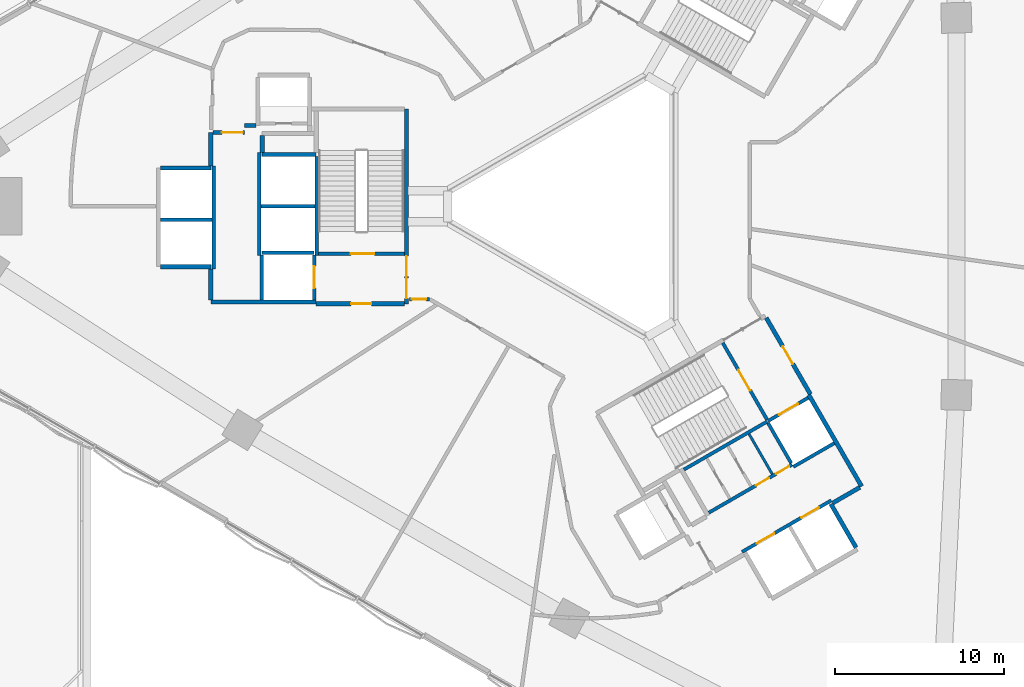
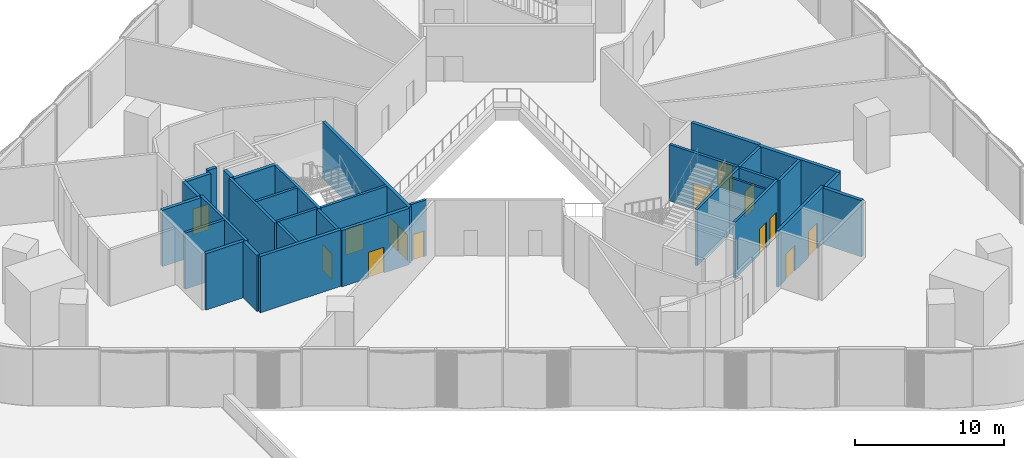
# One storey, part 8 of 14: 33 walls, 14 doors, 14 openings.
"""IFC4 building model written with IfcOpenShell, lengths in metres."""

import ifcopenshell
import ifcopenshell.guid

model = None  # the IFC model being written
_history = None  # IfcOwnerHistory: only IFC2X3 demands one
_inside = {}  # id of a spatial element -> (the spatial element, [elements in it])
_under = {}  # id of a project, library or spatial element -> (it, [spatial elements below it])
_declared = {}  # id of a project -> (the project, [libraries it declares])
_typed = {}  # id of a type object -> (the type object, [elements of that type])
_made_of = {}  # id of a material, layer set ... -> (it, [elements and type objects made of it])


def new_model(schema):
    """Start an empty IFC model of exactly this schema.

    Asked for "IFC4X3", IfcOpenShell would pick the latest addendum, in which some entities
    have other attributes; the version numbers below select the first issue.
    IFC2X3 requires an IfcOwnerHistory on every rooted entity: one is made here for all.
    """
    global model, _history
    if schema == "IFC4X3":
        model = ifcopenshell.file(schema_version=(4, 3, 0, 0))
    else:
        model = ifcopenshell.file(schema=schema)
    _inside.clear()
    _under.clear()
    _declared.clear()
    _typed.clear()
    _made_of.clear()
    _history = None
    if model.schema == "IFC2X3":
        org = make("IfcOrganization", Name="unknown")
        user = make(
            "IfcPersonAndOrganization",
            ThePerson=make("IfcPerson", FamilyName="unknown"),
            TheOrganization=org,
        )
        app = make(
            "IfcApplication",
            ApplicationDeveloper=org,
            Version="unknown",
            ApplicationFullName="unknown",
            ApplicationIdentifier="unknown",
        )
        _history = make(
            "IfcOwnerHistory",
            OwningUser=user,
            OwningApplication=app,
            ChangeAction="ADDED",
            CreationDate=0,
        )
    return model


def make(cls, **values):
    """One entity of the class cls with the attributes given. An attribute that is None is left unset."""
    return model.create_entity(
        cls, **{name: value for name, value in values.items() if value is not None}
    )


def rooted(cls, **values):
    """An entity with a GlobalId (a new one), such as an element, a storey or a relation."""
    return make(cls, GlobalId=ifcopenshell.guid.new(), OwnerHistory=_history, **values)


def si_unit(unit_type, name, prefix=None):
    """IfcSIUnit, for example si_unit("LENGTHUNIT", "METRE", prefix="MILLI")."""
    return make("IfcSIUnit", UnitType=unit_type, Prefix=prefix, Name=name)


def assignment(units):
    """IfcUnitAssignment: the units of a project."""
    return None if units is None else make("IfcUnitAssignment", Units=units)


def point(xyz):
    """IfcCartesianPoint."""
    return None if xyz is None else make("IfcCartesianPoint", Coordinates=xyz)


def direction(xyz):
    """IfcDirection."""
    return None if xyz is None else make("IfcDirection", DirectionRatios=xyz)


def frame(location, z_axis=None, x_axis=None):
    """IfcAxis2Placement3D, a coordinate frame: its origin and axes. An axis left out is left unset."""
    return make(
        "IfcAxis2Placement3D",
        Location=point(location),
        Axis=direction(z_axis),
        RefDirection=direction(x_axis),
    )


def frame_2d(location, x_axis=None):
    """IfcAxis2Placement2D, a coordinate frame in the plane: its origin and x axis."""
    return make(
        "IfcAxis2Placement2D", Location=point(location), RefDirection=direction(x_axis)
    )


def origin():
    """The frame at (0, 0, 0) with its axes left unset."""
    return frame((0.0, 0.0, 0.0))


def place(relative_to, where):
    """IfcLocalPlacement: puts the frame where relative to a parent placement (None: the world)."""
    return make(
        "IfcLocalPlacement", PlacementRelTo=relative_to, RelativePlacement=where
    )


def context(
    kind, dimensions, precision=None, world=None, true_north=None, identifier=None
):
    """IfcGeometricRepresentationContext, for example the 3D "Model" context."""
    return make(
        "IfcGeometricRepresentationContext",
        ContextIdentifier=identifier,
        ContextType=kind,
        CoordinateSpaceDimension=dimensions,
        Precision=precision,
        WorldCoordinateSystem=world,
        TrueNorth=true_north,
    )


def subcontext(parent, identifier, kind, view, scale=None):
    """IfcGeometricRepresentationSubContext, for example "Body" below "Model"."""
    return make(
        "IfcGeometricRepresentationSubContext",
        ContextIdentifier=identifier,
        ContextType=kind,
        ParentContext=parent,
        TargetScale=scale,
        TargetView=view,
    )


def project(units=None, contexts=None):
    """IfcProject with its units and contexts."""
    return rooted(
        "IfcProject",
        Name="project",
        RepresentationContexts=contexts,
        UnitsInContext=assignment(units),
    )


def spatial(cls, under=None, at=None, **own):
    """A site, building, storey or space (cls), placed at a placement, below another one or the project."""
    s = rooted(cls, ObjectPlacement=at, **own)
    if under is not None:
        _under.setdefault(under.id(), (under, []))[1].append(s)
    return s


def profile(cls, at=None, kind="AREA", **sizes):
    """A parametric profile (cls). Its sizes go by their IFC names, for example OverallWidth=200.0."""
    return make(cls, ProfileType=kind, Position=at, **sizes)


def rectangle(**sizes):
    """IfcRectangleProfileDef."""
    return profile("IfcRectangleProfileDef", **sizes)


def extrude(swept, where, along, depth):
    """IfcExtrudedAreaSolid: the profile swept, set in the frame where, extruded along a direction by depth."""
    return make(
        "IfcExtrudedAreaSolid",
        SweptArea=swept,
        Position=where,
        ExtrudedDirection=direction(along),
        Depth=depth,
    )


def shape(context_of_items, identifier, shape_type, items):
    """IfcShapeRepresentation: the items that make up one representation, for example the "Body"."""
    return make(
        "IfcShapeRepresentation",
        ContextOfItems=context_of_items,
        RepresentationIdentifier=identifier,
        RepresentationType=shape_type,
        Items=items,
    )


def material(Name=None, Category=None):
    """IfcMaterial."""
    return make("IfcMaterial", Name=Name, Category=Category)


def layer(
    of_material, thickness, ventilated=None, Name=None, Category=None, Priority=None
):
    """IfcMaterialLayer: one layer of a wall or slab, of a material (None: an air gap)."""
    return make(
        "IfcMaterialLayer",
        Material=of_material,
        LayerThickness=thickness,
        IsVentilated=ventilated,
        Name=Name,
        Category=Category,
        Priority=Priority,
    )


def layer_set(layers, Name=None):
    """IfcMaterialLayerSet."""
    return make("IfcMaterialLayerSet", MaterialLayers=layers, LayerSetName=Name)


def made_of(thing, what):
    """Note that an element or type object is made of a material, layer set ...; save() writes the relation."""
    if what is not None:
        _made_of.setdefault(what.id(), (what, []))[1].append(thing)
    return thing


def type_object(cls, material=None, **own):
    """A type object (cls), such as IfcWallType, which elements share."""
    return made_of(rooted(cls, **own), material)


def element(
    cls,
    number,
    at=None,
    inside=None,
    cuts=None,
    type_object=None,
    material=None,
    context=None,
    identifier="Body",
    shape_type=None,
    held_by="IfcProductDefinitionShape",
    body=None,
    shapes=None,
    **own,
):
    """One element of the class cls, such as IfcWall. Its Tag is "e" and its number.

    at: its placement. inside: the storey or other place that contains it. cuts: it is an
    opening in that element (IfcRelVoidsElement). A single representation is given by context,
    identifier, shape_type and body (its items); several are given by shapes. held_by: the class
    of the entity that holds the representations. save() writes the other relations.
    """
    e = rooted(cls, Tag="e%d" % number, ObjectPlacement=at, **own)
    if body is not None:
        shapes = [shape(context, identifier, shape_type, body)]
    if shapes is not None:
        e.Representation = make(held_by, Representations=shapes)
    if inside is not None:
        _inside.setdefault(inside.id(), (inside, []))[1].append(e)
    if cuts is not None:
        rooted(
            "IfcRelVoidsElement", RelatingBuildingElement=cuts, RelatedOpeningElement=e
        )
    if type_object is not None:
        _typed.setdefault(type_object.id(), (type_object, []))[1].append(e)
    return made_of(e, material)


def fill(opening, filler):
    """IfcRelFillsElement: the door or window that sits in an opening."""
    return rooted(
        "IfcRelFillsElement",
        RelatingOpeningElement=opening,
        RelatedBuildingElement=filler,
    )


def aggregate(whole, parts):
    """IfcRelAggregates: a whole, such as a stair, and the parts it consists of."""
    return rooted("IfcRelAggregates", RelatingObject=whole, RelatedObjects=parts)


def save(model, path):
    """Write the relations noted so far, then the file.

    IfcRelAggregates (storeys below a building ...), IfcRelContainedInSpatialStructure (elements
    in a storey), IfcRelDefinesByType, IfcRelAssociatesMaterial and IfcRelDeclares: one each for
    every whole, place, type object, material and project.
    """
    for whole, parts in _under.values():
        aggregate(whole, parts)
    for where, things in _inside.values():
        rooted(
            "IfcRelContainedInSpatialStructure",
            RelatedElements=things,
            RelatingStructure=where,
        )
    for kind, things in _typed.values():
        rooted("IfcRelDefinesByType", RelatedObjects=things, RelatingType=kind)
    for what, things in _made_of.values():
        rooted("IfcRelAssociatesMaterial", RelatedObjects=things, RelatingMaterial=what)
    for by, libraries in _declared.values():
        rooted("IfcRelDeclares", RelatingContext=by, RelatedDefinitions=libraries)
    model.write(path)


model = new_model("IFC4")

# Units and contexts
model_context = context("Model", 3, precision=1e-05, world=origin(), true_north=direction((0.0, 1.0)))
body_context = subcontext(model_context, "Body", "Model", "MODEL_VIEW")
ifc_project = project(units=[si_unit("LENGTHUNIT", "METRE"), si_unit("AREAUNIT", "SQUARE_METRE"), si_unit("VOLUMEUNIT", "CUBIC_METRE"), si_unit("PLANEANGLEUNIT", "RADIAN"), si_unit("MASSUNIT", "GRAM", prefix="KILO")], contexts=[model_context])

# Site, building, storey
site_placement = place(None, origin())
site = spatial("IfcSite", under=ifc_project, at=site_placement, CompositionType="ELEMENT")
building_placement = place(site_placement, origin())
building = spatial("IfcBuilding", under=site, at=building_placement, Name="Tamra Quay Hotel Tower", CompositionType="ELEMENT")
storey_placement = place(building_placement, frame((0.0, 0.0, 24.5)))
storey = spatial("IfcBuildingStorey", under=building, at=storey_placement, Name="L04", CompositionType="ELEMENT", Elevation=24.5)

# Walls
ifc_material_1 = material(Name="Concrete M70", Category="concrete")
ifc_layer_1 = layer(ifc_material_1, 0.199951171875)
ifc_layer_set_1 = layer_set([ifc_layer_1], Name="Concrete M70 core wall 200")
wall_type_1 = type_object("IfcWallType", Name="Concrete M70 core wall 200", PredefinedType="SHEAR", material=ifc_layer_set_1)
wall_1_placement = place(storey_placement, frame((-16.162109375, 2.95068359375, 0.0), z_axis=(0.0, 0.0, 1.0), x_axis=(0.0, -1.0, 0.0)))
element("IfcWall", 1, at=wall_1_placement, inside=storey, type_object=wall_type_1, Name="CW2", PredefinedType="SHEAR", context=body_context, shape_type="SweptSolid", body=[
    extrude(rectangle(XDim=5.850830078125, YDim=0.199951171875, at=frame_2d((2.92529296875, 0.0))), origin(), (0.0, 0.0, 1.0), 4.60009765625),
])
for number, where, z_axis, x_axis, name in (
    (2, (-19.5625, -2.900146484375, 0.0), (0.0, 0.0, 1.0), (0.0, 1.0, 0.0), "CW2"),
    (3, (-22.26220703125, 2.400146484375, 0.0), (0.0, 0.0, 1.0), (0.0, -1.0, 0.0), "CW2"),
):
    element("IfcWall", number, at=place(storey_placement, frame(where, z_axis=z_axis, x_axis=x_axis)), inside=storey, type_object=wall_type_1, Name=name, PredefinedType="SHEAR", context=body_context, shape_type="SweptSolid", body=[
        extrude(rectangle(XDim=6.100341796875, YDim=0.199951171875, at=frame_2d((3.05029296875, 0.0))), origin(), (0.0, 0.0, 1.0), 4.60009765625),
    ])

# Wall, opening, door
wall_2_placement = place(storey_placement, frame((-10.96337890625, -2.800048828125, 0.0), z_axis=(0.0, 0.0, 1.0), x_axis=(-1.0, 0.0, 0.0)))
wall_2 = element("IfcWall", 4, at=wall_2_placement, inside=storey, type_object=wall_type_1, Name="CW2", PredefinedType="SHEAR", context=body_context, shape_type="SweptSolid", body=[
    extrude(rectangle(XDim=5.097900390625, YDim=0.199951171875, at=frame_2d((2.548828125, 0.0))), origin(), (0.0, 0.0, 1.0), 4.60009765625),
])
opening_1_placement = place(wall_2_placement, frame((1.77392578125, 0.0, 0.0)))
opening_1 = element("IfcOpeningElement", 5, at=opening_1_placement, cuts=wall_2, Name="Opening FD2", PredefinedType="OPENING", context=body_context, shape_type="SweptSolid", body=[
    extrude(rectangle(XDim=1.39990234375, YDim=2.10009765625, at=frame_2d((0.699951171875, 1.050048828125))), frame((0.0, 0.10986328125, 0.0), z_axis=(0.0, -1.0, 0.0), x_axis=(1.0, 0.0, 0.0)), (0.0, 0.0, 1.0), 0.219970703125),
])
ifc_material_2 = material(Name="Core door FD2 1400x2100 LH")
door_type_1 = type_object("IfcDoorType", Name="Core door FD2 1400x2100 LH", OperationType="NOTDEFINED", PredefinedType="DOOR", material=ifc_material_2)
door_1_placement = place(opening_1_placement, origin())
door_1 = element("IfcDoor", 6, at=door_1_placement, inside=storey, type_object=door_type_1, Name="FD2", OperationType="SINGLE_SWING_LEFT", OverallHeight=2.10009765625, OverallWidth=1.39990234375, PredefinedType="DOOR", context=body_context, shape_type="SweptSolid", body=[
    extrude(rectangle(XDim=1.39990234375, YDim=2.10009765625, at=frame_2d((0.699951171875, 1.050048828125))), frame((0.0, 0.02490234375, 0.0), z_axis=(0.0, -1.0, 0.0), x_axis=(1.0, 0.0, 0.0)), (0.0, 0.0, 1.0), 0.050048828125),
])
fill(opening_1, door_1)

# Walls
wall_3_placement = place(storey_placement, frame((-16.26318359375, 0.0, 0.0), z_axis=(0.0, 0.0, 1.0), x_axis=(-1.0, 0.0, 0.0)))
element("IfcWall", 7, at=wall_3_placement, inside=storey, type_object=wall_type_1, Name="CW2", PredefinedType="SHEAR", context=body_context, shape_type="SweptSolid", body=[
    extrude(rectangle(XDim=3.1982421875, YDim=0.199951171875, at=frame_2d((1.59912109375, 0.0))), origin(), (0.0, 0.0, 1.0), 4.60009765625),
])
wall_4_placement = place(storey_placement, frame((-22.36328125, -0.800048828125, 0.0), z_axis=(0.0, 0.0, 1.0), x_axis=(-1.0, 0.0, 0.0)))
element("IfcWall", 8, at=wall_4_placement, inside=storey, type_object=wall_type_1, Name="CW2", PredefinedType="SHEAR", context=body_context, shape_type="SweptSolid", body=[
    extrude(rectangle(XDim=3.048095703125, YDim=0.199951171875, at=frame_2d((1.52392578125, 0.0))), origin(), (0.0, 0.0, 1.0), 4.60009765625),
])
wall_5_placement = place(storey_placement, frame((-19.412353515625, -2.75, 0.0), z_axis=(0.0, 0.0, 1.0), x_axis=(1.0, 0.0, 0.0)))
element("IfcWall", 9, at=wall_5_placement, inside=storey, type_object=wall_type_1, Name="CW2", PredefinedType="SHEAR", context=body_context, shape_type="SweptSolid", body=[
    extrude(rectangle(XDim=3.10009765625, YDim=0.199951171875, at=frame_2d((1.550048828125, 0.0))), origin(), (0.0, 0.0, 1.0), 4.60009765625),
])

# Wall, opening, door
wall_6_placement = place(storey_placement, frame((-16.312255859375, -2.898193359375, 0.0), z_axis=(0.0, 0.0, 1.0), x_axis=(0.0, -1.0, 0.0)))
wall_6 = element("IfcWall", 10, at=wall_6_placement, inside=storey, type_object=wall_type_1, Name="CW2", PredefinedType="SHEAR", context=body_context, shape_type="SweptSolid", body=[
    extrude(rectangle(XDim=2.65087890625, YDim=0.199951171875, at=frame_2d((1.325439453125, 0.0))), origin(), (0.0, 0.0, 1.0), 4.60009765625),
])
opening_2_placement = place(wall_6_placement, frame((0.65185546875, 0.0, 0.0)))
opening_2 = element("IfcOpeningElement", 11, at=opening_2_placement, cuts=wall_6, Name="Opening LD", PredefinedType="OPENING", context=body_context, shape_type="SweptSolid", body=[
    extrude(rectangle(XDim=1.300048828125, YDim=2.10009765625, at=frame_2d((0.64990234375, 1.050048828125))), frame((0.0, 0.10986328125, 0.0), z_axis=(0.0, -1.0, 0.0), x_axis=(1.0, 0.0, 0.0)), (0.0, 0.0, 1.0), 0.219970703125),
])
ifc_material_3 = material(Name="Landing door LD 1300 sliding to left")
door_type_2 = type_object("IfcDoorType", Name="Landing door LD 1300 sliding to left", OperationType="NOTDEFINED", PredefinedType="DOOR", material=ifc_material_3)
door_2_placement = place(opening_2_placement, origin())
door_2 = element("IfcDoor", 12, at=door_2_placement, inside=storey, type_object=door_type_2, Name="LD", OperationType="SLIDING_TO_LEFT", OverallHeight=2.10009765625, OverallWidth=1.300048828125, PredefinedType="DOOR", context=body_context, shape_type="SweptSolid", body=[
    extrude(rectangle(XDim=1.300048828125, YDim=2.10009765625, at=frame_2d((0.64990234375, 1.050048828125))), frame((0.0, 0.02490234375, 0.0), z_axis=(0.0, -1.0, 0.0), x_axis=(1.0, 0.0, 0.0)), (0.0, 0.0, 1.0), 0.050048828125),
])
fill(opening_2, door_2)

# Wall
wall_7_placement = place(storey_placement, frame((-19.412353515625, -5.549072265625, 0.0), z_axis=(0.0, 0.0, 1.0), x_axis=(0.0, 1.0, 0.0)))
element("IfcWall", 13, at=wall_7_placement, inside=storey, type_object=wall_type_1, Name="CW2", PredefinedType="SHEAR", context=body_context, shape_type="SweptSolid", body=[
    extrude(rectangle(XDim=2.65087890625, YDim=0.199951171875, at=frame_2d((1.325439453125, 0.0))), origin(), (0.0, 0.0, 1.0), 4.60009765625),
])

# Wall, openings, doors
wall_8_placement = place(storey_placement, frame((9.052490234375, -20.479736328125, 0.0), z_axis=(0.0, 0.0, 1.0), x_axis=(0.866030299012, 0.499991521122, 0.0)))
wall_8 = element("IfcWall", 14, at=wall_8_placement, inside=storey, type_object=wall_type_1, Name="CW2", PredefinedType="SHEAR", context=body_context, shape_type="SweptSolid", body=[
    extrude(rectangle(XDim=6.10009765625, YDim=0.199951171875, at=frame_2d((3.050048828125, 0.0))), origin(), (0.0, 0.0, 1.0), 4.60009765625),
])
opening_3_placement = place(wall_8_placement, frame((1.0, 0.0, 0.0)))
opening_3 = element("IfcOpeningElement", 15, at=opening_3_placement, cuts=wall_8, Name="Opening LD", PredefinedType="OPENING", context=body_context, shape_type="SweptSolid", body=[
    extrude(rectangle(XDim=1.199951171875, YDim=2.10009765625, at=frame_2d((0.60009765625, 1.050048828125))), frame((0.0, 0.10986328125, 0.0), z_axis=(0.0, -1.0, 0.0), x_axis=(1.0, 0.0, 0.0)), (0.0, 0.0, 1.0), 0.219970703125),
])
opening_4_placement = place(wall_8_placement, frame((4.05029296875, 0.0, 0.0)))
opening_4 = element("IfcOpeningElement", 16, at=opening_4_placement, cuts=wall_8, Name="Opening LD", PredefinedType="OPENING", context=body_context, shape_type="SweptSolid", body=[
    extrude(rectangle(XDim=1.199951171875, YDim=2.10009765625, at=frame_2d((0.60009765625, 1.050048828125))), frame((0.0, 0.10986328125, 0.0), z_axis=(0.0, -1.0, 0.0), x_axis=(1.0, 0.0, 0.0)), (0.0, 0.0, 1.0), 0.219970703125),
])
ifc_material_4 = material(Name="Landing door LD 1200 double door sliding")
door_type_3 = type_object("IfcDoorType", Name="Landing door LD 1200 double door sliding", OperationType="DOUBLE_DOOR_SLIDING", PredefinedType="DOOR", material=ifc_material_4)
door_3_placement = place(opening_3_placement, origin())
door_3 = element("IfcDoor", 17, at=door_3_placement, inside=storey, type_object=door_type_3, Name="LD", OperationType="DOUBLE_DOOR_SLIDING", OverallHeight=2.10009765625, OverallWidth=1.199951171875, PredefinedType="DOOR", context=body_context, shape_type="SweptSolid", body=[
    extrude(rectangle(XDim=1.199951171875, YDim=2.10009765625, at=frame_2d((0.60009765625, 1.050048828125))), frame((0.0, 0.02490234375, 0.0), z_axis=(0.0, -1.0, 0.0), x_axis=(1.0, 0.0, 0.0)), (0.0, 0.0, 1.0), 0.050048828125),
])
fill(opening_3, door_3)
door_4_placement = place(opening_4_placement, origin())
door_4 = element("IfcDoor", 18, at=door_4_placement, inside=storey, type_object=door_type_3, Name="LD", OperationType="DOUBLE_DOOR_SLIDING", OverallHeight=2.10009765625, OverallWidth=1.199951171875, PredefinedType="DOOR", context=body_context, shape_type="SweptSolid", body=[
    extrude(rectangle(XDim=1.199951171875, YDim=2.10009765625, at=frame_2d((0.60009765625, 1.050048828125))), frame((0.0, 0.02490234375, 0.0), z_axis=(0.0, -1.0, 0.0), x_axis=(1.0, 0.0, 0.0)), (0.0, 0.0, 1.0), 0.050048828125),
])
fill(opening_4, door_4)

# Wall
wall_9_placement = place(storey_placement, frame((10.537841796875, -12.751953125, 0.0), z_axis=(0.0, 0.0, 1.0), x_axis=(-0.866038630372, -0.499977090179, 0.0)))
element("IfcWall", 19, at=wall_9_placement, inside=storey, type_object=wall_type_1, Name="CW2", PredefinedType="SHEAR", context=body_context, shape_type="SweptSolid", body=[
    extrude(rectangle(XDim=5.698974609375, YDim=0.199951171875, at=frame_2d((2.849609375, 0.0))), origin(), (0.0, 0.0, 1.0), 4.60009765625),
])

# Wall, openings, doors
wall_10_placement = place(storey_placement, frame((7.0771484375, -18.156005859375, 0.0), z_axis=(0.0, 0.0, 1.0), x_axis=(0.866038630372, 0.499977090179, 0.0)))
wall_10 = element("IfcWall", 20, at=wall_10_placement, inside=storey, type_object=wall_type_1, Name="CW2", PredefinedType="SHEAR", context=body_context, shape_type="SweptSolid", body=[
    extrude(rectangle(XDim=5.698974609375, YDim=0.199951171875, at=frame_2d((2.849609375, 0.0))), origin(), (0.0, 0.0, 1.0), 4.60009765625),
])
opening_5_placement = place(wall_10_placement, frame((3.22412109375, 0.0, 0.0)))
opening_5 = element("IfcOpeningElement", 21, at=opening_5_placement, cuts=wall_10, Name="Opening D2", PredefinedType="OPENING", context=body_context, shape_type="SweptSolid", body=[
    extrude(rectangle(XDim=0.89990234375, YDim=2.10009765625, at=frame_2d((0.449951171875, 1.050048828125))), frame((0.0, 0.10986328125, 0.0), z_axis=(0.0, -1.0, 0.0), x_axis=(1.0, 0.0, 0.0)), (0.0, 0.0, 1.0), 0.219970703125),
])
opening_6_placement = place(wall_10_placement, frame((4.59912109375, 0.0, 0.0)))
opening_6 = element("IfcOpeningElement", 22, at=opening_6_placement, cuts=wall_10, Name="Opening D2", PredefinedType="OPENING", context=body_context, shape_type="SweptSolid", body=[
    extrude(rectangle(XDim=0.89990234375, YDim=2.10009765625, at=frame_2d((0.449951171875, 1.050048828125))), frame((0.0, 0.10986328125, 0.0), z_axis=(0.0, -1.0, 0.0), x_axis=(1.0, 0.0, 0.0)), (0.0, 0.0, 1.0), 0.219970703125),
])
ifc_material_5 = material(Name="Core door D2 900x2100 LH")
door_type_4 = type_object("IfcDoorType", Name="Core door D2 900x2100 LH", OperationType="NOTDEFINED", PredefinedType="DOOR", material=ifc_material_5)
door_5_placement = place(opening_5_placement, origin())
door_5 = element("IfcDoor", 23, at=door_5_placement, inside=storey, type_object=door_type_4, Name="D2", OperationType="SINGLE_SWING_LEFT", OverallHeight=2.10009765625, OverallWidth=0.89990234375, PredefinedType="DOOR", context=body_context, shape_type="SweptSolid", body=[
    extrude(rectangle(XDim=0.89990234375, YDim=2.10009765625, at=frame_2d((0.449951171875, 1.050048828125))), frame((0.0, 0.02490234375, 0.0), z_axis=(0.0, -1.0, 0.0), x_axis=(1.0, 0.0, 0.0)), (0.0, 0.0, 1.0), 0.050048828125),
])
fill(opening_5, door_5)
ifc_material_6 = material(Name="Core door D2 900x2100 RH")
door_type_5 = type_object("IfcDoorType", Name="Core door D2 900x2100 RH", OperationType="NOTDEFINED", PredefinedType="DOOR", material=ifc_material_6)
door_6_placement = place(opening_6_placement, origin())
door_6 = element("IfcDoor", 24, at=door_6_placement, inside=storey, type_object=door_type_5, Name="D2", OperationType="SINGLE_SWING_RIGHT", OverallHeight=2.10009765625, OverallWidth=0.89990234375, PredefinedType="DOOR", context=body_context, shape_type="SweptSolid", body=[
    extrude(rectangle(XDim=0.89990234375, YDim=2.10009765625, at=frame_2d((0.449951171875, 1.050048828125))), frame((0.0, 0.02490234375, 0.0), z_axis=(0.0, -1.0, 0.0), x_axis=(1.0, 0.0, 0.0)), (0.0, 0.0, 1.0), 0.050048828125),
])
fill(opening_6, door_6)

# Wall, opening, door
wall_11_placement = place(storey_placement, frame((7.906494140625, -8.094482421875, 0.0), z_axis=(0.0, 0.0, 1.0), x_axis=(0.500024287448, -0.866011380966, 0.0)))
wall_11 = element("IfcWall", 25, at=wall_11_placement, inside=storey, type_object=wall_type_1, Name="CW2", PredefinedType="SHEAR", context=body_context, shape_type="SweptSolid", body=[
    extrude(rectangle(XDim=5.251220703125, YDim=0.199951171875, at=frame_2d((2.62548828125, 0.0))), origin(), (0.0, 0.0, 1.0), 4.60009765625),
])
opening_7_placement = place(wall_11_placement, frame((1.84912109375, 0.0, 0.0)))
opening_7 = element("IfcOpeningElement", 26, at=opening_7_placement, cuts=wall_11, Name="Opening FD2", PredefinedType="OPENING", context=body_context, shape_type="SweptSolid", body=[
    extrude(rectangle(XDim=1.39990234375, YDim=2.10009765625, at=frame_2d((0.699951171875, 1.050048828125))), frame((0.0, 0.10986328125, 0.0), z_axis=(0.0, -1.0, 0.0), x_axis=(1.0, 0.0, 0.0)), (0.0, 0.0, 1.0), 0.219970703125),
])
ifc_material_7 = material(Name="Core door FD2 1400x2100 RH")
door_type_6 = type_object("IfcDoorType", Name="Core door FD2 1400x2100 RH", OperationType="NOTDEFINED", PredefinedType="DOOR", material=ifc_material_7)
door_7_placement = place(opening_7_placement, origin())
door_7 = element("IfcDoor", 27, at=door_7_placement, inside=storey, type_object=door_type_6, Name="FD2", OperationType="SINGLE_SWING_RIGHT", OverallHeight=2.10009765625, OverallWidth=1.39990234375, PredefinedType="DOOR", context=body_context, shape_type="SweptSolid", body=[
    extrude(rectangle(XDim=1.39990234375, YDim=2.10009765625, at=frame_2d((0.699951171875, 1.050048828125))), frame((0.0, 0.02490234375, 0.0), z_axis=(0.0, -1.0, 0.0), x_axis=(1.0, 0.0, 0.0)), (0.0, 0.0, 1.0), 0.050048828125),
])
fill(opening_7, door_7)

# Wall
wall_12_placement = place(storey_placement, frame((11.962646484375, -15.219970703125, 0.0), z_axis=(0.0, 0.0, 1.0), x_axis=(-0.500034990121, 0.866005201286, 0.0)))
element("IfcWall", 28, at=wall_12_placement, inside=storey, type_object=wall_type_1, Name="CW2", PredefinedType="SHEAR", context=body_context, shape_type="SweptSolid", body=[
    extrude(rectangle(XDim=2.749755859375, YDim=0.199951171875, at=frame_2d((1.375, 0.0))), origin(), (0.0, 0.0, 1.0), 4.60009765625),
])

# Wall, opening, door
wall_13_placement = place(storey_placement, frame((10.587158203125, -12.72314453125, 0.0), z_axis=(0.0, 0.0, 1.0), x_axis=(0.866037306777, 0.499979382845, 0.0)))
wall_13 = element("IfcWall", 29, at=wall_13_placement, inside=storey, type_object=wall_type_1, Name="CW2", PredefinedType="SHEAR", context=body_context, shape_type="SweptSolid", body=[
    extrude(rectangle(XDim=2.74169921875, YDim=0.199951171875, at=frame_2d((1.370849609375, 0.0))), origin(), (0.0, 0.0, 1.0), 4.60009765625),
])
opening_8_placement = place(wall_13_placement, frame((0.742919921875, 0.0, 0.0)))
opening_8 = element("IfcOpeningElement", 30, at=opening_8_placement, cuts=wall_13, Name="Opening LD", PredefinedType="OPENING", context=body_context, shape_type="SweptSolid", body=[
    extrude(rectangle(XDim=1.300048828125, YDim=2.10009765625, at=frame_2d((0.64990234375, 1.050048828125))), frame((0.0, 0.10986328125, 0.0), z_axis=(0.0, -1.0, 0.0), x_axis=(1.0, 0.0, 0.0)), (0.0, 0.0, 1.0), 0.219970703125),
])
ifc_material_8 = material(Name="Landing door LD 1300 sliding to right")
door_type_7 = type_object("IfcDoorType", Name="Landing door LD 1300 sliding to right", OperationType="NOTDEFINED", PredefinedType="DOOR", material=ifc_material_8)
door_8_placement = place(opening_8_placement, origin())
door_8 = element("IfcDoor", 31, at=door_8_placement, inside=storey, type_object=door_type_7, Name="LD", OperationType="SLIDING_TO_RIGHT", OverallHeight=2.10009765625, OverallWidth=1.300048828125, PredefinedType="DOOR", context=body_context, shape_type="SweptSolid", body=[
    extrude(rectangle(XDim=1.300048828125, YDim=2.10009765625, at=frame_2d((0.64990234375, 1.050048828125))), frame((0.0, 0.02490234375, 0.0), z_axis=(0.0, -1.0, 0.0), x_axis=(1.0, 0.0, 0.0)), (0.0, 0.0, 1.0), 0.050048828125),
])
fill(opening_8, door_8)

# Wall
wall_14_placement = place(storey_placement, frame((14.51171875, -14.037109375, 0.0), z_axis=(0.0, 0.0, 1.0), x_axis=(-0.866044696403, -0.499966582715, 0.0)))
element("IfcWall", 32, at=wall_14_placement, inside=storey, type_object=wall_type_1, Name="CW2", PredefinedType="SHEAR", context=body_context, shape_type="SweptSolid", body=[
    extrude(rectangle(XDim=2.799072265625, YDim=0.199951171875, at=frame_2d((1.3994140625, 0.0))), origin(), (0.0, 0.0, 1.0), 4.60009765625),
])

# Wall, openings, doors
ifc_layer_2 = layer(ifc_material_1, 0.25)
ifc_layer_set_2 = layer_set([ifc_layer_2], Name="Concrete M70 core wall 250")
wall_type_2 = type_object("IfcWallType", Name="Concrete M70 core wall 250", PredefinedType="SHEAR", material=ifc_layer_set_2)
wall_15_placement = place(storey_placement, frame((-10.83740234375, 5.77490234375, 0.0), z_axis=(0.0, 0.0, 1.0), x_axis=(0.0, -1.0, 0.0)))
wall_15 = element("IfcWall", 33, at=wall_15_placement, inside=storey, type_object=wall_type_2, Name="CW1", PredefinedType="SHEAR", context=body_context, shape_type="SweptSolid", body=[
    extrude(rectangle(XDim=11.5498046875, YDim=0.25, at=frame_2d((5.77490234375, 0.0))), origin(), (0.0, 0.0, 1.0), 4.60009765625),
])
opening_9_placement = place(wall_15_placement, frame((10.02490234375, 0.0, 0.0)))
opening_9 = element("IfcOpeningElement", 34, at=opening_9_placement, cuts=wall_15, Name="Opening FD1", PredefinedType="OPENING", context=body_context, shape_type="SweptSolid", body=[
    extrude(rectangle(XDim=1.199951171875, YDim=2.10009765625, at=frame_2d((0.60009765625, 1.050048828125))), frame((0.0, 0.135009765625, 0.0), z_axis=(0.0, -1.0, 0.0), x_axis=(1.0, 0.0, 0.0)), (0.0, 0.0, 1.0), 0.27001953125),
])
opening_10_placement = place(wall_15_placement, frame((8.72509765625, 0.0, 0.0)))
opening_10 = element("IfcOpeningElement", 35, at=opening_10_placement, cuts=wall_15, Name="Opening FD1", PredefinedType="OPENING", context=body_context, shape_type="SweptSolid", body=[
    extrude(rectangle(XDim=1.199951171875, YDim=2.10009765625, at=frame_2d((0.60009765625, 1.050048828125))), frame((0.0, 0.135009765625, 0.0), z_axis=(0.0, -1.0, 0.0), x_axis=(1.0, 0.0, 0.0)), (0.0, 0.0, 1.0), 0.27001953125),
])
ifc_material_9 = material(Name="Core door FD1 1200x2100 LH")
door_type_8 = type_object("IfcDoorType", Name="Core door FD1 1200x2100 LH", OperationType="NOTDEFINED", PredefinedType="DOOR", material=ifc_material_9)
door_9_placement = place(opening_9_placement, origin())
door_9 = element("IfcDoor", 36, at=door_9_placement, inside=storey, type_object=door_type_8, Name="FD1", OperationType="SINGLE_SWING_LEFT", OverallHeight=2.10009765625, OverallWidth=1.199951171875, PredefinedType="DOOR", context=body_context, shape_type="SweptSolid", body=[
    extrude(rectangle(XDim=1.199951171875, YDim=2.10009765625, at=frame_2d((0.60009765625, 1.050048828125))), frame((0.0, 0.02490234375, 0.0), z_axis=(0.0, -1.0, 0.0), x_axis=(1.0, 0.0, 0.0)), (0.0, 0.0, 1.0), 0.050048828125),
])
fill(opening_9, door_9)
ifc_material_10 = material(Name="Core door FD1 1200x2100 RH")
door_type_9 = type_object("IfcDoorType", Name="Core door FD1 1200x2100 RH", OperationType="NOTDEFINED", PredefinedType="DOOR", material=ifc_material_10)
door_10_placement = place(opening_10_placement, origin())
door_10 = element("IfcDoor", 37, at=door_10_placement, inside=storey, type_object=door_type_9, Name="FD1", OperationType="SINGLE_SWING_RIGHT", OverallHeight=2.10009765625, OverallWidth=1.199951171875, PredefinedType="DOOR", context=body_context, shape_type="SweptSolid", body=[
    extrude(rectangle(XDim=1.199951171875, YDim=2.10009765625, at=frame_2d((0.60009765625, 1.050048828125))), frame((0.0, 0.02490234375, 0.0), z_axis=(0.0, -1.0, 0.0), x_axis=(1.0, 0.0, 0.0)), (0.0, 0.0, 1.0), 0.050048828125),
])
fill(opening_10, door_10)

# Wall
wall_16_placement = place(storey_placement, frame((-16.187255859375, -5.675048828125, 0.0), z_axis=(0.0, 0.0, 1.0), x_axis=(-1.0, 0.0, 0.0)))
element("IfcWall", 38, at=wall_16_placement, inside=storey, type_object=wall_type_2, Name="CW1", PredefinedType="SHEAR", context=body_context, shape_type="SweptSolid", body=[
    extrude(rectangle(XDim=6.25, YDim=0.25, at=frame_2d((3.125, 0.0))), origin(), (0.0, 0.0, 1.0), 4.60009765625),
])

# Wall, opening, door
wall_17_placement = place(storey_placement, frame((-10.962646484375, -5.77490234375, 0.0), z_axis=(0.0, 0.0, 1.0), x_axis=(-1.0, 0.0, 0.0)))
wall_17 = element("IfcWall", 39, at=wall_17_placement, inside=storey, type_object=wall_type_2, Name="CW1", PredefinedType="SHEAR", context=body_context, shape_type="SweptSolid", body=[
    extrude(rectangle(XDim=5.224609375, YDim=0.25, at=frame_2d((2.6123046875, 0.0))), origin(), (0.0, 0.0, 1.0), 4.60009765625),
])
opening_11_placement = place(wall_17_placement, frame((1.94970703125, 0.0, 0.0)))
opening_11 = element("IfcOpeningElement", 40, at=opening_11_placement, cuts=wall_17, Name="Opening D2", PredefinedType="OPENING", context=body_context, shape_type="SweptSolid", body=[
    extrude(rectangle(XDim=1.199951171875, YDim=2.10009765625, at=frame_2d((0.60009765625, 1.050048828125))), frame((0.0, 0.135009765625, 0.0), z_axis=(0.0, -1.0, 0.0), x_axis=(1.0, 0.0, 0.0)), (0.0, 0.0, 1.0), 0.27001953125),
])
ifc_material_11 = material(Name="Core door D2 1200x2100 RH")
door_type_10 = type_object("IfcDoorType", Name="Core door D2 1200x2100 RH", OperationType="NOTDEFINED", PredefinedType="DOOR", material=ifc_material_11)
door_11_placement = place(opening_11_placement, origin())
door_11 = element("IfcDoor", 41, at=door_11_placement, inside=storey, type_object=door_type_10, Name="D2", OperationType="SINGLE_SWING_RIGHT", OverallHeight=2.10009765625, OverallWidth=1.199951171875, PredefinedType="DOOR", context=body_context, shape_type="SweptSolid", body=[
    extrude(rectangle(XDim=1.199951171875, YDim=2.10009765625, at=frame_2d((0.60009765625, 1.050048828125))), frame((0.0, 0.02490234375, 0.0), z_axis=(0.0, -1.0, 0.0), x_axis=(1.0, 0.0, 0.0)), (0.0, 0.0, 1.0), 0.050048828125),
])
fill(opening_11, door_11)

# Walls
wall_18_placement = place(storey_placement, frame((-19.38720703125, 3.074951171875, 0.0), z_axis=(0.0, 0.0, 1.0), x_axis=(1.0, 0.0, 0.0)))
element("IfcWall", 42, at=wall_18_placement, inside=storey, type_object=wall_type_2, Name="CW1", PredefinedType="SHEAR", context=body_context, shape_type="SweptSolid", body=[
    extrude(rectangle(XDim=3.199951171875, YDim=0.25, at=frame_2d((1.60009765625, 0.0))), origin(), (0.0, 0.0, 1.0), 4.60009765625),
])
for number, where, z_axis, x_axis, name in (
    (43, (-22.437255859375, -3.574951171875, 0.0), (0.0, 0.0, 1.0), (-1.0, 0.0, 0.0), "CW1"),
    (44, (-25.411865234375, 2.27490234375, 0.0), (0.0, 0.0, 1.0), (1.0, 0.0, 0.0), "CW1"),
):
    element("IfcWall", number, at=place(storey_placement, frame(where, z_axis=z_axis, x_axis=x_axis)), inside=storey, type_object=wall_type_2, Name=name, PredefinedType="SHEAR", context=body_context, shape_type="SweptSolid", body=[
        extrude(rectangle(XDim=2.974609375, YDim=0.25, at=frame_2d((1.4873046875, 0.0))), origin(), (0.0, 0.0, 1.0), 4.60009765625),
    ])
wall_19_placement = place(storey_placement, frame((-22.437255859375, 2.400390625, 0.0), z_axis=(0.0, 0.0, 1.0), x_axis=(0.0, 1.0, 0.0)))
element("IfcWall", 45, at=wall_19_placement, inside=storey, type_object=wall_type_2, Name="CW1", PredefinedType="SHEAR", context=body_context, shape_type="SweptSolid", body=[
    extrude(rectangle(XDim=1.974609375, YDim=0.25, at=frame_2d((0.9873046875, 0.0))), origin(), (0.0, 0.0, 1.0), 4.60009765625),
])
wall_20_placement = place(storey_placement, frame((-22.437255859375, -5.549560546875, 0.0), z_axis=(0.0, 0.0, 1.0), x_axis=(0.0, 1.0, 0.0)))
element("IfcWall", 46, at=wall_20_placement, inside=storey, type_object=wall_type_2, Name="CW1", PredefinedType="SHEAR", context=body_context, shape_type="SweptSolid", body=[
    extrude(rectangle(XDim=1.84912109375, YDim=0.25, at=frame_2d((0.924560546875, 0.0))), origin(), (0.0, 0.0, 1.0), 4.60009765625),
])

# Wall, opening, door
wall_21_placement = place(storey_placement, frame((-22.311767578125, 4.375, 0.0), z_axis=(0.0, 0.0, 1.0), x_axis=(1.0, 0.0, 0.0)))
wall_21 = element("IfcWall", 47, at=wall_21_placement, inside=storey, type_object=wall_type_2, Name="CW1", PredefinedType="SHEAR", context=body_context, shape_type="SweptSolid", body=[
    extrude(rectangle(XDim=1.864501953125, YDim=0.25, at=frame_2d((0.93212890625, 0.0))), origin(), (0.0, 0.0, 1.0), 4.60009765625),
])
opening_12_placement = place(wall_21_placement, frame((0.53466796875, 0.0, 0.0)))
opening_12 = element("IfcOpeningElement", 48, at=opening_12_placement, cuts=wall_21, Name="Opening FD3", PredefinedType="OPENING", context=body_context, shape_type="SweptSolid", body=[
    extrude(rectangle(XDim=1.25, YDim=2.10009765625, at=frame_2d((0.625, 1.050048828125))), frame((0.0, 0.135009765625, 0.0), z_axis=(0.0, -1.0, 0.0), x_axis=(1.0, 0.0, 0.0)), (0.0, 0.0, 1.0), 0.27001953125),
])
ifc_material_12 = material(Name="Core door FD3 1250x2100 LH")
door_type_11 = type_object("IfcDoorType", Name="Core door FD3 1250x2100 LH", OperationType="NOTDEFINED", PredefinedType="DOOR", material=ifc_material_12)
door_12_placement = place(opening_12_placement, origin())
door_12 = element("IfcDoor", 49, at=door_12_placement, inside=storey, type_object=door_type_11, Name="FD3", OperationType="SINGLE_SWING_LEFT", OverallHeight=2.10009765625, OverallWidth=1.25, PredefinedType="DOOR", context=body_context, shape_type="SweptSolid", body=[
    extrude(rectangle(XDim=1.25, YDim=2.10009765625, at=frame_2d((0.625, 1.050048828125))), frame((0.0, 0.02490234375, 0.0), z_axis=(0.0, -1.0, 0.0), x_axis=(1.0, 0.0, 0.0)), (0.0, 0.0, 1.0), 0.050048828125),
])
fill(opening_12, door_12)

# Walls
wall_22_placement = place(storey_placement, frame((-19.38720703125, 4.189697265625, 0.0), z_axis=(0.0, 0.0, 1.0), x_axis=(0.0, -1.0, 0.0)))
element("IfcWall", 50, at=wall_22_placement, inside=storey, type_object=wall_type_2, Name="CW1", PredefinedType="SHEAR", context=body_context, shape_type="SweptSolid", body=[
    extrude(rectangle(XDim=0.9892578125, YDim=0.25, at=frame_2d((0.49462890625, 0.0))), origin(), (0.0, 0.0, 1.0), 4.60009765625),
])
wall_23_placement = place(storey_placement, frame((-20.447265625, 4.784912109375, 0.0), z_axis=(0.0, 0.0, 1.0), x_axis=(1.0, 0.0, 0.0)))
element("IfcWall", 51, at=wall_23_placement, inside=storey, type_object=wall_type_2, Name="CW1", PredefinedType="SHEAR", context=body_context, shape_type="SweptSolid", body=[
    extrude(rectangle(XDim=0.6845703125, YDim=0.25, at=frame_2d((0.34228515625, 0.0))), origin(), (0.0, 0.0, 1.0), 4.60009765625),
])
wall_24_placement = place(storey_placement, frame((13.00830078125, -11.18115234375, 0.0), z_axis=(0.0, 0.0, 1.0), x_axis=(0.500004234368, -0.866022959057, 0.0)))
element("IfcWall", 52, at=wall_24_placement, inside=storey, type_object=wall_type_2, Name="CW1", PredefinedType="SHEAR", context=body_context, shape_type="SweptSolid", body=[
    extrude(rectangle(XDim=6.25, YDim=0.25, at=frame_2d((3.125, 0.0))), origin(), (0.0, 0.0, 1.0), 4.60009765625),
])

# Wall, opening, door
wall_25_placement = place(storey_placement, frame((10.482666015625, -6.6064453125, 0.0), z_axis=(0.0, 0.0, 1.0), x_axis=(0.49999885962, -0.866026062182, 0.0)))
wall_25 = element("IfcWall", 53, at=wall_25_placement, inside=storey, type_object=wall_type_2, Name="CW1", PredefinedType="SHEAR", context=body_context, shape_type="SweptSolid", body=[
    extrude(rectangle(XDim=5.224609375, YDim=0.25, at=frame_2d((2.6123046875, 0.0))), origin(), (0.0, 0.0, 1.0), 4.60009765625),
])
opening_13_placement = place(wall_25_placement, frame((1.94970703125, 0.0, 0.0)))
opening_13 = element("IfcOpeningElement", 54, at=opening_13_placement, cuts=wall_25, Name="Opening D2", PredefinedType="OPENING", context=body_context, shape_type="SweptSolid", body=[
    extrude(rectangle(XDim=1.199951171875, YDim=2.10009765625, at=frame_2d((0.60009765625, 1.050048828125))), frame((0.0, 0.135009765625, 0.0), z_axis=(0.0, -1.0, 0.0), x_axis=(1.0, 0.0, 0.0)), (0.0, 0.0, 1.0), 0.27001953125),
])
ifc_material_13 = material(Name="Core door D2 1200x2100 LH")
door_type_12 = type_object("IfcDoorType", Name="Core door D2 1200x2100 LH", OperationType="NOTDEFINED", PredefinedType="DOOR", material=ifc_material_13)
door_13_placement = place(opening_13_placement, origin())
door_13 = element("IfcDoor", 55, at=door_13_placement, inside=storey, type_object=door_type_12, Name="D2", OperationType="SINGLE_SWING_LEFT", OverallHeight=2.10009765625, OverallWidth=1.199951171875, PredefinedType="DOOR", context=body_context, shape_type="SweptSolid", body=[
    extrude(rectangle(XDim=1.199951171875, YDim=2.10009765625, at=frame_2d((0.60009765625, 1.050048828125))), frame((0.0, 0.02490234375, 0.0), z_axis=(0.0, -1.0, 0.0), x_axis=(1.0, 0.0, 0.0)), (0.0, 0.0, 1.0), 0.050048828125),
])
fill(opening_13, door_13)

# Walls
wall_26_placement = place(storey_placement, frame((14.314697265625, -17.643798828125, 0.0), z_axis=(0.0, 0.0, 1.0), x_axis=(0.500023226632, -0.866011993467, 0.0)))
element("IfcWall", 56, at=wall_26_placement, inside=storey, type_object=wall_type_2, Name="CW1", PredefinedType="SHEAR", context=body_context, shape_type="SweptSolid", body=[
    extrude(rectangle(XDim=2.974365234375, YDim=0.25, at=frame_2d((1.4873046875, 0.0))), origin(), (0.0, 0.0, 1.0), 4.60009765625),
])
wall_27_placement = place(storey_placement, frame((16.024658203125, -16.656494140625, 0.0), z_axis=(0.0, 0.0, 1.0), x_axis=(-0.866016279763, -0.500015802937, 0.0)))
element("IfcWall", 57, at=wall_27_placement, inside=storey, type_object=wall_type_2, Name="CW1", PredefinedType="SHEAR", context=body_context, shape_type="SweptSolid", body=[
    extrude(rectangle(XDim=1.84912109375, YDim=0.25, at=frame_2d((0.924560546875, 0.0))), origin(), (0.0, 0.0, 1.0), 4.60009765625),
])
ifc_material_14 = material(Name="Blockwork", Category="masonry")
ifc_layer_3 = layer(ifc_material_14, 0.14990234375)
ifc_layer_set_3 = layer_set([ifc_layer_3], Name="Core partition block 150")
wall_type_3 = type_object("IfcWallType", Name="Core partition block 150", PredefinedType="PARTITIONING", material=ifc_layer_set_3)
wall_28_placement = place(storey_placement, frame((9.46240234375, -13.489013671875, 0.0), z_axis=(0.0, 0.0, 1.0), x_axis=(0.499988999718, -0.866031754707, 0.0)))
element("IfcWall", 58, at=wall_28_placement, inside=storey, type_object=wall_type_3, Name="CP1", PredefinedType="PARTITIONING", context=body_context, shape_type="SweptSolid", body=[
    extrude(rectangle(XDim=2.74853515625, YDim=0.14990234375, at=frame_2d((1.374267578125, 0.0))), origin(), (0.0, 0.0, 1.0), 4.60009765625),
])

# Wall, opening, door
ifc_material_15 = material(Name="Partition corridor wall")
ifc_layer_4 = layer(ifc_material_15, 0.199951171875)
ifc_layer_set_4 = layer_set([ifc_layer_4], Name="Partition corridor wall")
wall_type_4 = type_object("IfcWallType", Name="Partition corridor wall", PredefinedType="PARTITIONING", material=ifc_layer_set_4)
wall_29_placement = place(storey_placement, frame((-10.65234375, -5.5, 0.0), z_axis=(0.0, 0.0, 1.0), x_axis=(1.0, 0.0, 0.0)))
wall_29 = element("IfcWall", 59, at=wall_29_placement, inside=storey, type_object=wall_type_4, Name="W-C", PredefinedType="PARTITIONING", context=body_context, shape_type="SweptSolid", body=[
    extrude(rectangle(XDim=1.17724609375, YDim=0.199951171875, at=frame_2d((0.588623046875, 0.0))), origin(), (0.0, 0.0, 1.0), 4.60009765625),
])
opening_14_placement = place(wall_29_placement, frame((0.13720703125, 0.0, 0.0)))
opening_14 = element("IfcOpeningElement", 60, at=opening_14_placement, cuts=wall_29, Name="Opening L04-D008", PredefinedType="OPENING", context=body_context, shape_type="SweptSolid", body=[
    extrude(rectangle(XDim=0.840087890625, YDim=2.10009765625, at=frame_2d((0.419921875, 1.050048828125))), frame((0.0, 0.10986328125, 0.0), z_axis=(0.0, -1.0, 0.0), x_axis=(1.0, 0.0, 0.0)), (0.0, 0.0, 1.0), 0.219970703125),
])
ifc_material_16 = material(Name="Door service room 840x2100")
door_type_13 = type_object("IfcDoorType", Name="Door service room 840x2100", OperationType="NOTDEFINED", PredefinedType="DOOR", material=ifc_material_16)
door_14_placement = place(opening_14_placement, origin())
door_14 = element("IfcDoor", 61, at=door_14_placement, inside=storey, type_object=door_type_13, Name="L04-D008", OperationType="SINGLE_SWING_LEFT", OverallHeight=2.10009765625, OverallWidth=0.840087890625, PredefinedType="DOOR", context=body_context, shape_type="SweptSolid", body=[
    extrude(rectangle(XDim=0.840087890625, YDim=2.10009765625, at=frame_2d((0.419921875, 1.050048828125))), frame((0.0, 0.02490234375, 0.0), z_axis=(0.0, -1.0, 0.0), x_axis=(1.0, 0.0, 0.0)), (0.0, 0.0, 1.0), 0.050048828125),
])
fill(opening_14, door_14)

save(model, "model.ifc")
